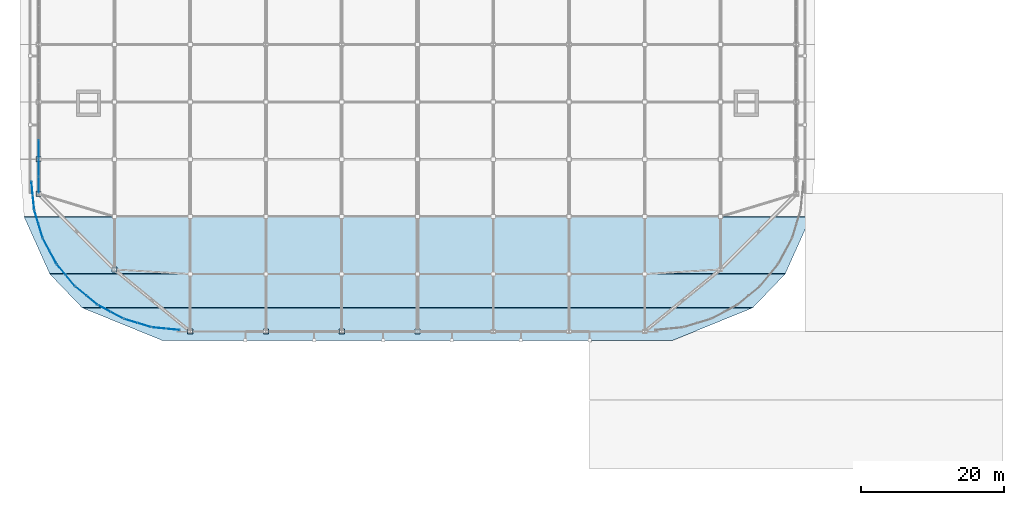
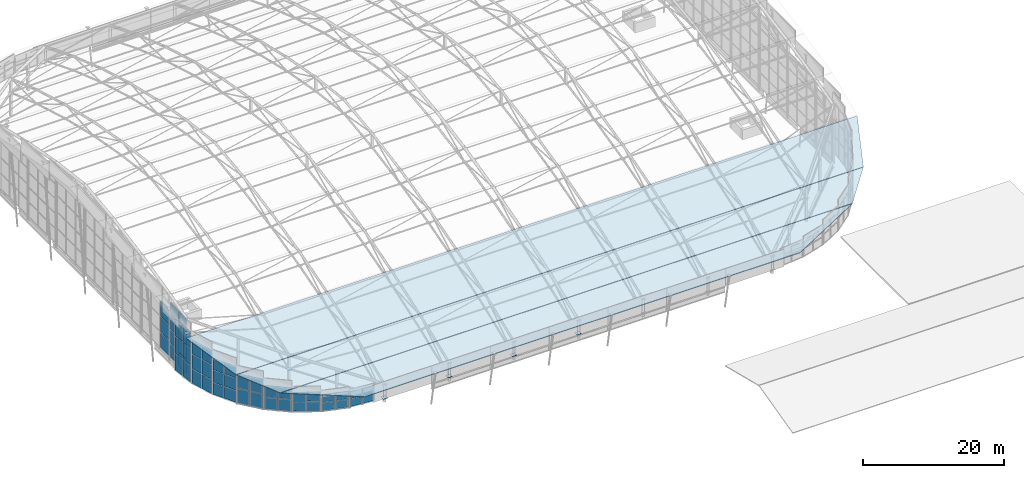
# One storey, part 32 of 42: 56 plates, 3 slabs, 11 elements without a shape of their own.
"""IFC4 building model written with IfcOpenShell, lengths in metres."""

from ifc_helpers import new_model, si_unit, direction, frame, origin, origin_2d, place, context, subcontext, project, spatial, polyline, rectangle, outline, extrude, material, layer, layer_set, type_object, element, aggregate, save


model = new_model("IFC4")

# Units and contexts
model_context = context("Model", 3, precision=1e-05, world=origin(), true_north=direction((0.0, 1.0)))
body_context = subcontext(model_context, "Body", "Model", "MODEL_VIEW")
ifc_project = project(units=[si_unit("LENGTHUNIT", "METRE"), si_unit("AREAUNIT", "SQUARE_METRE"), si_unit("VOLUMEUNIT", "CUBIC_METRE"), si_unit("PLANEANGLEUNIT", "RADIAN"), si_unit("MASSUNIT", "GRAM", prefix="KILO")], contexts=[model_context])

# Site, building, storey
site_placement = place(None, origin())
site = spatial("IfcSite", under=ifc_project, at=site_placement, CompositionType="ELEMENT")
building_placement = place(site_placement, origin())
building = spatial("IfcBuilding", under=site, at=building_placement, Name="Caelomonte Colonnade Arena", CompositionType="ELEMENT")
storey_placement = place(building_placement, frame((0.0, 0.0, 28.199951171875)))
storey = spatial("IfcBuildingStorey", under=building, at=storey_placement, Name="RF", CompositionType="ELEMENT", Elevation=28.199951171875)

# Curtain wall, plates
ifc_material_1 = material(Name="Bronze anodised aluminium and low-E glazing", Category="aluminium")
ifc_layer_1 = layer(ifc_material_1, 0.179931640625)
ifc_layer_set_1 = layer_set([ifc_layer_1], Name="Bronze anodised aluminium and low-E glazing")
curtain_wall_type_1 = type_object("IfcCurtainWallType", Name="ENV-CW-CW-TYMP-01", PredefinedType="USERDEFINED", material=ifc_layer_set_1)
curtain_wall_1_placement = place(storey_placement, origin())
curtain_wall_1 = element("IfcCurtainWall", 1, at=curtain_wall_1_placement, inside=storey, type_object=curtain_wall_type_1, Name="Barrel arch W clerestory tympanum curtain wall 1", ObjectType="UNITIZED CURTAIN WALL", PredefinedType="USERDEFINED")
ifc_material_2 = material(Name="Solar-control bronze low-E double glazing", Category="glass")
ifc_layer_2 = layer(ifc_material_2, 0.035888671875)
ifc_layer_set_2 = layer_set([ifc_layer_2], Name="Solar-control bronze low-E double glazing")
plate_type_1 = type_object("IfcPlateType", Name="ENV-CW-PAN36", PredefinedType="CURTAIN_PANEL", material=ifc_layer_set_2)
plate_1_placement = place(storey_placement, frame((57.60009765625, 41.9423828125, -0.080078125), z_axis=(0.0, 0.0, 1.0), x_axis=(0.0, -1.0, 0.0)))
plate_1 = element("IfcPlate", 2, at=plate_1_placement, type_object=plate_type_1, Name="CW-TYMP-01 panel 1.1", PredefinedType="CURTAIN_PANEL", context=body_context, shape_type="SweptSolid", body=[
    extrude(rectangle(XDim=2.215087890625, YDim=0.035888671875, at=origin_2d()), origin(), (0.0, 0.0, 1.0), 2.298583984375),
])
plate_2_placement = place(storey_placement, frame((57.60009765625, 41.9423828125, 2.28857421875), z_axis=(0.0, 0.0, 1.0), x_axis=(0.0, -1.0, 0.0)))
plate_2 = element("IfcPlate", 3, at=plate_2_placement, type_object=plate_type_1, Name="CW-TYMP-01 panel 1.2", PredefinedType="CURTAIN_PANEL", context=body_context, shape_type="SweptSolid", body=[
    extrude(rectangle(XDim=2.215087890625, YDim=0.035888671875, at=origin_2d()), origin(), (0.0, 0.0, 1.0), 2.333740234375),
])
plate_3_placement = place(storey_placement, frame((57.60009765625, 41.9423828125, 4.6923828125), z_axis=(0.0, 0.0, 1.0), x_axis=(0.0, -1.0, 0.0)))
plate_3 = element("IfcPlate", 4, at=plate_3_placement, type_object=plate_type_1, Name="CW-TYMP-01 panel 1.3", PredefinedType="CURTAIN_PANEL", context=body_context, shape_type="SweptSolid", body=[
    extrude(rectangle(XDim=2.215087890625, YDim=0.035888671875, at=origin_2d()), origin(), (0.0, 0.0, 1.0), 2.333740234375),
])
plate_4_placement = place(storey_placement, frame((57.60009765625, 41.9423828125, 7.09619140625), z_axis=(0.0, 0.0, 1.0), x_axis=(0.0, -1.0, 0.0)))
plate_4 = element("IfcPlate", 5, at=plate_4_placement, type_object=plate_type_1, Name="CW-TYMP-01 panel 1.4", PredefinedType="CURTAIN_PANEL", context=body_context, shape_type="SweptSolid", body=[
    extrude(rectangle(XDim=2.215087890625, YDim=0.035888671875, at=origin_2d()), origin(), (0.0, 0.0, 1.0), 2.298583984375),
])
plate_5_placement = place(storey_placement, frame((57.60009765625, 39.657470703125, -0.080078125), z_axis=(0.0, 0.0, 1.0), x_axis=(0.0, -1.0, 0.0)))
plate_5 = element("IfcPlate", 6, at=plate_5_placement, type_object=plate_type_1, Name="CW-TYMP-01 panel 2.1", PredefinedType="CURTAIN_PANEL", context=body_context, shape_type="SweptSolid", body=[
    extrude(rectangle(XDim=2.215087890625, YDim=0.035888671875, at=origin_2d()), origin(), (0.0, 0.0, 1.0), 2.298583984375),
])
plate_6_placement = place(storey_placement, frame((57.60009765625, 39.657470703125, 2.28857421875), z_axis=(0.0, 0.0, 1.0), x_axis=(0.0, -1.0, 0.0)))
plate_6 = element("IfcPlate", 7, at=plate_6_placement, type_object=plate_type_1, Name="CW-TYMP-01 panel 2.2", PredefinedType="CURTAIN_PANEL", context=body_context, shape_type="SweptSolid", body=[
    extrude(rectangle(XDim=2.215087890625, YDim=0.035888671875, at=origin_2d()), origin(), (0.0, 0.0, 1.0), 2.333740234375),
])
plate_7_placement = place(storey_placement, frame((57.60009765625, 39.657470703125, 4.6923828125), z_axis=(0.0, 0.0, 1.0), x_axis=(0.0, -1.0, 0.0)))
plate_7 = element("IfcPlate", 8, at=plate_7_placement, type_object=plate_type_1, Name="CW-TYMP-01 panel 2.3", PredefinedType="CURTAIN_PANEL", context=body_context, shape_type="SweptSolid", body=[
    extrude(rectangle(XDim=2.215087890625, YDim=0.035888671875, at=origin_2d()), origin(), (0.0, 0.0, 1.0), 2.333740234375),
])
plate_8_placement = place(storey_placement, frame((57.60009765625, 39.657470703125, 7.09619140625), z_axis=(0.0, 0.0, 1.0), x_axis=(0.0, -1.0, 0.0)))
plate_8 = element("IfcPlate", 9, at=plate_8_placement, type_object=plate_type_1, Name="CW-TYMP-01 panel 2.4", PredefinedType="CURTAIN_PANEL", context=body_context, shape_type="SweptSolid", body=[
    extrude(rectangle(XDim=2.215087890625, YDim=0.035888671875, at=origin_2d()), origin(), (0.0, 0.0, 1.0), 2.298583984375),
])
aggregate(curtain_wall_1, [plate_1, plate_2, plate_3, plate_4, plate_5, plate_6, plate_7, plate_8])

ifc_layer_3 = layer(ifc_material_1, 0.179931640625)
ifc_layer_set_3 = layer_set([ifc_layer_3], Name="Bronze anodised aluminium and low-E glazing")
curtain_wall_type_2 = type_object("IfcCurtainWallType", Name="ENV-CW-CW-TYMP-02", PredefinedType="USERDEFINED", material=ifc_layer_set_3)
curtain_wall_2_placement = place(storey_placement, origin())
curtain_wall_2 = element("IfcCurtainWall", 10, at=curtain_wall_2_placement, inside=storey, type_object=curtain_wall_type_2, Name="Barrel arch W clerestory tympanum curtain wall 2", ObjectType="UNITIZED CURTAIN WALL", PredefinedType="USERDEFINED")
plate_9_placement = place(storey_placement, frame((57.60009765625, 44.604248046875, -0.079833984375), z_axis=(0.0, 0.0, 1.0), x_axis=(0.0, -1.0, 0.0)))
plate_9 = element("IfcPlate", 11, at=plate_9_placement, type_object=plate_type_1, Name="CW-TYMP-02 panel 3.1", PredefinedType="CURTAIN_PANEL", context=body_context, shape_type="SweptSolid", body=[
    extrude(rectangle(XDim=2.50830078125, YDim=0.035888671875, at=origin_2d()), origin(), (0.0, 0.0, 1.0), 2.63330078125),
])
plate_10_placement = place(storey_placement, frame((57.60009765625, 44.604248046875, 2.62353515625), z_axis=(0.0, 0.0, 1.0), x_axis=(0.0, -1.0, 0.0)))
plate_10 = element("IfcPlate", 12, at=plate_10_placement, type_object=plate_type_1, Name="CW-TYMP-02 panel 3.2", PredefinedType="CURTAIN_PANEL", context=body_context, shape_type="SweptSolid", body=[
    extrude(rectangle(XDim=2.50830078125, YDim=0.035888671875, at=origin_2d()), origin(), (0.0, 0.0, 1.0), 2.668212890625),
])
plate_11_placement = place(storey_placement, frame((57.60009765625, 44.604248046875, 5.361328125), z_axis=(0.0, 0.0, 1.0), x_axis=(0.0, -1.0, 0.0)))
plate_11 = element("IfcPlate", 13, at=plate_11_placement, type_object=plate_type_1, Name="CW-TYMP-02 panel 3.3", PredefinedType="CURTAIN_PANEL", context=body_context, shape_type="SweptSolid", body=[
    extrude(rectangle(XDim=2.50830078125, YDim=0.035888671875, at=origin_2d()), origin(), (0.0, 0.0, 1.0), 2.668212890625),
])
aggregate(curtain_wall_2, [plate_9, plate_10, plate_11])

ifc_layer_4 = layer(ifc_material_1, 0.179931640625)
ifc_layer_set_4 = layer_set([ifc_layer_4], Name="Bronze anodised aluminium and low-E glazing")
curtain_wall_type_3 = type_object("IfcCurtainWallType", Name="ENV-CW-CW-TYMPC-01-89", PredefinedType="USERDEFINED", material=ifc_layer_set_4)
curtain_wall_3_placement = place(storey_placement, origin())
curtain_wall_3 = element("IfcCurtainWall", 14, at=curtain_wall_3_placement, inside=storey, type_object=curtain_wall_type_3, Name="Barrel arch rounded corner clerestory curtain wall 25", ObjectType="UNITIZED CURTAIN WALL", PredefinedType="USERDEFINED")
plate_12_placement = place(storey_placement, frame((56.68408203125, 39.142333984375, -0.079833984375), z_axis=(0.0, 0.0, 1.0), x_axis=(0.098031417843, -0.995183320356, 0.0)))
plate_12 = element("IfcPlate", 15, at=plate_12_placement, type_object=plate_type_1, Name="CW-TYMPC-01-89 panel 1.1", PredefinedType="CURTAIN_PANEL", context=body_context, shape_type="SweptSolid", body=[
    extrude(rectangle(XDim=1.8857421875, YDim=0.035888671875, at=origin_2d()), origin(), (0.0, 0.0, 1.0), 2.87158203125),
])
plate_13_placement = place(storey_placement, frame((56.68408203125, 39.142333984375, 2.86181640625), z_axis=(0.0, 0.0, 1.0), x_axis=(0.098031417843, -0.995183320356, 0.0)))
plate_13 = element("IfcPlate", 16, at=plate_13_placement, type_object=plate_type_1, Name="CW-TYMPC-01-89 panel 1.2", PredefinedType="CURTAIN_PANEL", context=body_context, shape_type="SweptSolid", body=[
    extrude(rectangle(XDim=1.8857421875, YDim=0.035888671875, at=origin_2d()), origin(), (0.0, 0.0, 1.0), 2.90673828125),
])
plate_14_placement = place(storey_placement, frame((56.68408203125, 39.142333984375, 5.838623046875), z_axis=(0.0, 0.0, 1.0), x_axis=(0.098031417843, -0.995183320356, 0.0)))
plate_14 = element("IfcPlate", 17, at=plate_14_placement, type_object=plate_type_1, Name="CW-TYMPC-01-89 panel 1.3", PredefinedType="CURTAIN_PANEL", context=body_context, shape_type="SweptSolid", body=[
    extrude(rectangle(XDim=1.8857421875, YDim=0.035888671875, at=origin_2d()), origin(), (0.0, 0.0, 1.0), 2.87158203125),
])
plate_15_placement = place(storey_placement, frame((56.8759765625, 37.196044921875, -0.079833984375), z_axis=(0.0, 0.0, 1.0), x_axis=(0.098031417843, -0.995183320356, 0.0)))
plate_15 = element("IfcPlate", 18, at=plate_15_placement, type_object=plate_type_1, Name="CW-TYMPC-01-89 panel 2.1", PredefinedType="CURTAIN_PANEL", context=body_context, shape_type="SweptSolid", body=[
    extrude(rectangle(XDim=1.8857421875, YDim=0.035888671875, at=origin_2d()), origin(), (0.0, 0.0, 1.0), 2.87158203125),
])
plate_16_placement = place(storey_placement, frame((56.8759765625, 37.196044921875, 2.86181640625), z_axis=(0.0, 0.0, 1.0), x_axis=(0.098031417843, -0.995183320356, 0.0)))
plate_16 = element("IfcPlate", 19, at=plate_16_placement, type_object=plate_type_1, Name="CW-TYMPC-01-89 panel 2.2", PredefinedType="CURTAIN_PANEL", context=body_context, shape_type="SweptSolid", body=[
    extrude(rectangle(XDim=1.8857421875, YDim=0.035888671875, at=origin_2d()), origin(), (0.0, 0.0, 1.0), 2.90673828125),
])
plate_17_placement = place(storey_placement, frame((56.8759765625, 37.196044921875, 5.838623046875), z_axis=(0.0, 0.0, 1.0), x_axis=(0.098031417843, -0.995183320356, 0.0)))
plate_17 = element("IfcPlate", 20, at=plate_17_placement, type_object=plate_type_1, Name="CW-TYMPC-01-89 panel 2.3", PredefinedType="CURTAIN_PANEL", context=body_context, shape_type="SweptSolid", body=[
    extrude(rectangle(XDim=1.8857421875, YDim=0.035888671875, at=origin_2d()), origin(), (0.0, 0.0, 1.0), 2.87158203125),
])
aggregate(curtain_wall_3, [plate_12, plate_13, plate_14, plate_15, plate_16, plate_17])

ifc_layer_5 = layer(ifc_material_1, 0.179931640625)
ifc_layer_set_5 = layer_set([ifc_layer_5], Name="Bronze anodised aluminium and low-E glazing")
curtain_wall_type_4 = type_object("IfcCurtainWallType", Name="ENV-CW-CW-TYMPC-02-77", PredefinedType="USERDEFINED", material=ifc_layer_set_5)
curtain_wall_4_placement = place(storey_placement, origin())
curtain_wall_4 = element("IfcCurtainWall", 21, at=curtain_wall_4_placement, inside=storey, type_object=curtain_wall_type_4, Name="Barrel arch rounded corner clerestory curtain wall 26", ObjectType="UNITIZED CURTAIN WALL", PredefinedType="USERDEFINED")
plate_18_placement = place(storey_placement, frame((57.28857421875, 35.12109375, -0.080078125), z_axis=(0.0, 0.0, 1.0), x_axis=(0.290266004632, -0.956945999811, 0.0)))
plate_18 = element("IfcPlate", 22, at=plate_18_placement, type_object=plate_type_1, Name="CW-TYMPC-02-77 panel 1.1", PredefinedType="CURTAIN_PANEL", context=body_context, shape_type="SweptSolid", body=[
    extrude(rectangle(XDim=1.8857421875, YDim=0.035888671875, at=origin_2d()), origin(), (0.0, 0.0, 1.0), 2.450439453125),
])
plate_19_placement = place(storey_placement, frame((57.28857421875, 35.12109375, 2.4404296875), z_axis=(0.0, 0.0, 1.0), x_axis=(0.290266004632, -0.956945999811, 0.0)))
plate_19 = element("IfcPlate", 23, at=plate_19_placement, type_object=plate_type_1, Name="CW-TYMPC-02-77 panel 1.2", PredefinedType="CURTAIN_PANEL", context=body_context, shape_type="SweptSolid", body=[
    extrude(rectangle(XDim=1.8857421875, YDim=0.035888671875, at=origin_2d()), origin(), (0.0, 0.0, 1.0), 2.4853515625),
])
plate_20_placement = place(storey_placement, frame((57.28857421875, 35.12109375, 4.99560546875), z_axis=(0.0, 0.0, 1.0), x_axis=(0.290266004632, -0.956945999811, 0.0)))
plate_20 = element("IfcPlate", 24, at=plate_20_placement, type_object=plate_type_1, Name="CW-TYMPC-02-77 panel 1.3", PredefinedType="CURTAIN_PANEL", context=body_context, shape_type="SweptSolid", body=[
    extrude(rectangle(XDim=1.8857421875, YDim=0.035888671875, at=origin_2d()), origin(), (0.0, 0.0, 1.0), 2.450439453125),
])
plate_21_placement = place(storey_placement, frame((57.856201171875, 33.24951171875, -0.080078125), z_axis=(0.0, 0.0, 1.0), x_axis=(0.290266004632, -0.956945999811, 0.0)))
plate_21 = element("IfcPlate", 25, at=plate_21_placement, type_object=plate_type_1, Name="CW-TYMPC-02-77 panel 2.1", PredefinedType="CURTAIN_PANEL", context=body_context, shape_type="SweptSolid", body=[
    extrude(rectangle(XDim=1.8857421875, YDim=0.035888671875, at=origin_2d()), origin(), (0.0, 0.0, 1.0), 2.450439453125),
])
plate_22_placement = place(storey_placement, frame((57.856201171875, 33.24951171875, 2.4404296875), z_axis=(0.0, 0.0, 1.0), x_axis=(0.290266004632, -0.956945999811, 0.0)))
plate_22 = element("IfcPlate", 26, at=plate_22_placement, type_object=plate_type_1, Name="CW-TYMPC-02-77 panel 2.2", PredefinedType="CURTAIN_PANEL", context=body_context, shape_type="SweptSolid", body=[
    extrude(rectangle(XDim=1.8857421875, YDim=0.035888671875, at=origin_2d()), origin(), (0.0, 0.0, 1.0), 2.4853515625),
])
plate_23_placement = place(storey_placement, frame((57.856201171875, 33.24951171875, 4.99560546875), z_axis=(0.0, 0.0, 1.0), x_axis=(0.290266004632, -0.956945999811, 0.0)))
plate_23 = element("IfcPlate", 27, at=plate_23_placement, type_object=plate_type_1, Name="CW-TYMPC-02-77 panel 2.3", PredefinedType="CURTAIN_PANEL", context=body_context, shape_type="SweptSolid", body=[
    extrude(rectangle(XDim=1.8857421875, YDim=0.035888671875, at=origin_2d()), origin(), (0.0, 0.0, 1.0), 2.450439453125),
])
aggregate(curtain_wall_4, [plate_18, plate_19, plate_20, plate_21, plate_22, plate_23])

ifc_layer_6 = layer(ifc_material_1, 0.179931640625)
ifc_layer_set_6 = layer_set([ifc_layer_6], Name="Bronze anodised aluminium and low-E glazing")
curtain_wall_type_5 = type_object("IfcCurtainWallType", Name="ENV-CW-CW-TYMPC-03-64", PredefinedType="USERDEFINED", material=ifc_layer_set_6)
curtain_wall_5_placement = place(storey_placement, origin())
curtain_wall_5 = element("IfcCurtainWall", 28, at=curtain_wall_5_placement, inside=storey, type_object=curtain_wall_type_5, Name="Barrel arch rounded corner clerestory curtain wall 27", ObjectType="UNITIZED CURTAIN WALL", PredefinedType="USERDEFINED")
plate_24_placement = place(storey_placement, frame((58.665771484375, 31.295166015625, -0.080078125), z_axis=(0.0, 0.0, 1.0), x_axis=(0.471391087795, -0.881924283795, 0.0)))
plate_24 = element("IfcPlate", 29, at=plate_24_placement, type_object=plate_type_1, Name="CW-TYMPC-03-64 panel 1.1", PredefinedType="CURTAIN_PANEL", context=body_context, shape_type="SweptSolid", body=[
    extrude(rectangle(XDim=1.8857421875, YDim=0.035888671875, at=origin_2d()), origin(), (0.0, 0.0, 1.0), 2.031494140625),
])
plate_25_placement = place(storey_placement, frame((58.665771484375, 31.295166015625, 2.021728515625), z_axis=(0.0, 0.0, 1.0), x_axis=(0.471391087795, -0.881924283795, 0.0)))
plate_25 = element("IfcPlate", 30, at=plate_25_placement, type_object=plate_type_1, Name="CW-TYMPC-03-64 panel 1.2", PredefinedType="CURTAIN_PANEL", context=body_context, shape_type="SweptSolid", body=[
    extrude(rectangle(XDim=1.8857421875, YDim=0.035888671875, at=origin_2d()), origin(), (0.0, 0.0, 1.0), 2.06640625),
])
plate_26_placement = place(storey_placement, frame((58.665771484375, 31.295166015625, 4.158203125), z_axis=(0.0, 0.0, 1.0), x_axis=(0.471391087795, -0.881924283795, 0.0)))
plate_26 = element("IfcPlate", 31, at=plate_26_placement, type_object=plate_type_1, Name="CW-TYMPC-03-64 panel 1.3", PredefinedType="CURTAIN_PANEL", context=body_context, shape_type="SweptSolid", body=[
    extrude(rectangle(XDim=1.8857421875, YDim=0.035888671875, at=origin_2d()), origin(), (0.0, 0.0, 1.0), 2.031494140625),
])
plate_27_placement = place(storey_placement, frame((59.587646484375, 29.5703125, -0.080078125), z_axis=(0.0, 0.0, 1.0), x_axis=(0.471391087795, -0.881924283795, 0.0)))
plate_27 = element("IfcPlate", 32, at=plate_27_placement, type_object=plate_type_1, Name="CW-TYMPC-03-64 panel 2.1", PredefinedType="CURTAIN_PANEL", context=body_context, shape_type="SweptSolid", body=[
    extrude(rectangle(XDim=1.8857421875, YDim=0.035888671875, at=origin_2d()), origin(), (0.0, 0.0, 1.0), 2.031494140625),
])
plate_28_placement = place(storey_placement, frame((59.587646484375, 29.5703125, 2.021728515625), z_axis=(0.0, 0.0, 1.0), x_axis=(0.471391087795, -0.881924283795, 0.0)))
plate_28 = element("IfcPlate", 33, at=plate_28_placement, type_object=plate_type_1, Name="CW-TYMPC-03-64 panel 2.2", PredefinedType="CURTAIN_PANEL", context=body_context, shape_type="SweptSolid", body=[
    extrude(rectangle(XDim=1.8857421875, YDim=0.035888671875, at=origin_2d()), origin(), (0.0, 0.0, 1.0), 2.06640625),
])
plate_29_placement = place(storey_placement, frame((59.587646484375, 29.5703125, 4.158203125), z_axis=(0.0, 0.0, 1.0), x_axis=(0.471391087795, -0.881924283795, 0.0)))
plate_29 = element("IfcPlate", 34, at=plate_29_placement, type_object=plate_type_1, Name="CW-TYMPC-03-64 panel 2.3", PredefinedType="CURTAIN_PANEL", context=body_context, shape_type="SweptSolid", body=[
    extrude(rectangle(XDim=1.8857421875, YDim=0.035888671875, at=origin_2d()), origin(), (0.0, 0.0, 1.0), 2.031494140625),
])
aggregate(curtain_wall_5, [plate_24, plate_25, plate_26, plate_27, plate_28, plate_29])

ifc_layer_7 = layer(ifc_material_1, 0.179931640625)
ifc_layer_set_7 = layer_set([ifc_layer_7], Name="Bronze anodised aluminium and low-E glazing")
curtain_wall_type_6 = type_object("IfcCurtainWallType", Name="ENV-CW-CW-TYMPC-04-52", PredefinedType="USERDEFINED", material=ifc_layer_set_7)
curtain_wall_6_placement = place(storey_placement, origin())
curtain_wall_6 = element("IfcCurtainWall", 35, at=curtain_wall_6_placement, inside=storey, type_object=curtain_wall_type_6, Name="Barrel arch rounded corner clerestory curtain wall 28", ObjectType="UNITIZED CURTAIN WALL", PredefinedType="USERDEFINED")
plate_30_placement = place(storey_placement, frame((60.762939453125, 27.811279296875, -0.080078125), z_axis=(0.0, 0.0, 1.0), x_axis=(0.634405129694, -0.773000731835, 0.0)))
plate_30 = element("IfcPlate", 36, at=plate_30_placement, type_object=plate_type_1, Name="CW-TYMPC-04-52 panel 1.1", PredefinedType="CURTAIN_PANEL", context=body_context, shape_type="SweptSolid", body=[
    extrude(rectangle(XDim=1.8857421875, YDim=0.035888671875, at=origin_2d()), origin(), (0.0, 0.0, 1.0), 2.51318359375),
])
plate_31_placement = place(storey_placement, frame((60.762939453125, 27.811279296875, 2.50341796875), z_axis=(0.0, 0.0, 1.0), x_axis=(0.634405129694, -0.773000731835, 0.0)))
plate_31 = element("IfcPlate", 37, at=plate_31_placement, type_object=plate_type_1, Name="CW-TYMPC-04-52 panel 1.2", PredefinedType="CURTAIN_PANEL", context=body_context, shape_type="SweptSolid", body=[
    extrude(rectangle(XDim=1.8857421875, YDim=0.035888671875, at=origin_2d()), origin(), (0.0, 0.0, 1.0), 2.512939453125),
])
plate_32_placement = place(storey_placement, frame((62.003662109375, 26.299560546875, -0.080078125), z_axis=(0.0, 0.0, 1.0), x_axis=(0.634405129694, -0.773000731835, 0.0)))
plate_32 = element("IfcPlate", 38, at=plate_32_placement, type_object=plate_type_1, Name="CW-TYMPC-04-52 panel 2.1", PredefinedType="CURTAIN_PANEL", context=body_context, shape_type="SweptSolid", body=[
    extrude(rectangle(XDim=1.8857421875, YDim=0.035888671875, at=origin_2d()), origin(), (0.0, 0.0, 1.0), 2.51318359375),
])
plate_33_placement = place(storey_placement, frame((62.003662109375, 26.299560546875, 2.50341796875), z_axis=(0.0, 0.0, 1.0), x_axis=(0.634405129694, -0.773000731835, 0.0)))
plate_33 = element("IfcPlate", 39, at=plate_33_placement, type_object=plate_type_1, Name="CW-TYMPC-04-52 panel 2.2", PredefinedType="CURTAIN_PANEL", context=body_context, shape_type="SweptSolid", body=[
    extrude(rectangle(XDim=1.8857421875, YDim=0.035888671875, at=origin_2d()), origin(), (0.0, 0.0, 1.0), 2.512939453125),
])
aggregate(curtain_wall_6, [plate_30, plate_31, plate_32, plate_33])

ifc_layer_8 = layer(ifc_material_1, 0.179931640625)
ifc_layer_set_8 = layer_set([ifc_layer_8], Name="Bronze anodised aluminium and low-E glazing")
curtain_wall_type_7 = type_object("IfcCurtainWallType", Name="ENV-CW-CW-TYMPC-04-42", PredefinedType="USERDEFINED", material=ifc_layer_set_8)
curtain_wall_7_placement = place(storey_placement, origin())
curtain_wall_7 = element("IfcCurtainWall", 40, at=curtain_wall_7_placement, inside=storey, type_object=curtain_wall_type_7, Name="Barrel arch rounded corner clerestory curtain wall 29", ObjectType="UNITIZED CURTAIN WALL", PredefinedType="USERDEFINED")
plate_34_placement = place(storey_placement, frame((63.49951171875, 24.8037109375, -0.080078125), z_axis=(0.0, 0.0, 1.0), x_axis=(0.773000731835, -0.634405129694, 0.0)))
plate_34 = element("IfcPlate", 41, at=plate_34_placement, type_object=plate_type_1, Name="CW-TYMPC-04-42 panel 1.1", PredefinedType="CURTAIN_PANEL", context=body_context, shape_type="SweptSolid", body=[
    extrude(rectangle(XDim=1.8857421875, YDim=0.035888671875, at=origin_2d()), origin(), (0.0, 0.0, 1.0), 2.00634765625),
])
plate_35_placement = place(storey_placement, frame((63.49951171875, 24.8037109375, 1.99658203125), z_axis=(0.0, 0.0, 1.0), x_axis=(0.773000731835, -0.634405129694, 0.0)))
plate_35 = element("IfcPlate", 42, at=plate_35_placement, type_object=plate_type_1, Name="CW-TYMPC-04-42 panel 1.2", PredefinedType="CURTAIN_PANEL", context=body_context, shape_type="SweptSolid", body=[
    extrude(rectangle(XDim=1.8857421875, YDim=0.035888671875, at=origin_2d()), origin(), (0.0, 0.0, 1.0), 2.006103515625),
])
plate_36_placement = place(storey_placement, frame((65.011474609375, 23.56298828125, -0.080078125), z_axis=(0.0, 0.0, 1.0), x_axis=(0.773000731835, -0.634405129694, 0.0)))
plate_36 = element("IfcPlate", 43, at=plate_36_placement, type_object=plate_type_1, Name="CW-TYMPC-04-42 panel 2.1", PredefinedType="CURTAIN_PANEL", context=body_context, shape_type="SweptSolid", body=[
    extrude(rectangle(XDim=1.8857421875, YDim=0.035888671875, at=origin_2d()), origin(), (0.0, 0.0, 1.0), 2.00634765625),
])
plate_37_placement = place(storey_placement, frame((65.011474609375, 23.56298828125, 1.99658203125), z_axis=(0.0, 0.0, 1.0), x_axis=(0.773000731835, -0.634405129694, 0.0)))
plate_37 = element("IfcPlate", 44, at=plate_37_placement, type_object=plate_type_1, Name="CW-TYMPC-04-42 panel 2.2", PredefinedType="CURTAIN_PANEL", context=body_context, shape_type="SweptSolid", body=[
    extrude(rectangle(XDim=1.8857421875, YDim=0.035888671875, at=origin_2d()), origin(), (0.0, 0.0, 1.0), 2.006103515625),
])
aggregate(curtain_wall_7, [plate_34, plate_35, plate_36, plate_37])

ifc_layer_9 = layer(ifc_material_1, 0.179931640625)
ifc_layer_set_9 = layer_set([ifc_layer_9], Name="Bronze anodised aluminium and low-E glazing")
curtain_wall_type_8 = type_object("IfcCurtainWallType", Name="ENV-CW-CW-TYMPC-03-34", PredefinedType="USERDEFINED", material=ifc_layer_set_9)
curtain_wall_8_placement = place(storey_placement, origin())
curtain_wall_8 = element("IfcCurtainWall", 45, at=curtain_wall_8_placement, inside=storey, type_object=curtain_wall_type_8, Name="Barrel arch rounded corner clerestory curtain wall 30", ObjectType="UNITIZED CURTAIN WALL", PredefinedType="USERDEFINED")
plate_38_placement = place(storey_placement, frame((66.770263671875, 22.3876953125, -0.080078125), z_axis=(0.0, 0.0, 1.0), x_axis=(0.881924283795, -0.471391087795, 0.0)))
plate_38 = element("IfcPlate", 46, at=plate_38_placement, type_object=plate_type_1, Name="CW-TYMPC-03-34 panel 1.1", PredefinedType="CURTAIN_PANEL", context=body_context, shape_type="SweptSolid", body=[
    extrude(rectangle(XDim=1.8857421875, YDim=0.035888671875, at=origin_2d()), origin(), (0.0, 0.0, 1.0), 1.614990234375),
])
plate_39_placement = place(storey_placement, frame((66.770263671875, 22.3876953125, 1.60498046875), z_axis=(0.0, 0.0, 1.0), x_axis=(0.881924283795, -0.471391087795, 0.0)))
plate_39 = element("IfcPlate", 47, at=plate_39_placement, type_object=plate_type_1, Name="CW-TYMPC-03-34 panel 1.2", PredefinedType="CURTAIN_PANEL", context=body_context, shape_type="SweptSolid", body=[
    extrude(rectangle(XDim=1.8857421875, YDim=0.035888671875, at=origin_2d()), origin(), (0.0, 0.0, 1.0), 1.614990234375),
])
plate_40_placement = place(storey_placement, frame((68.4951171875, 21.4658203125, -0.080078125), z_axis=(0.0, 0.0, 1.0), x_axis=(0.881924283795, -0.471391087795, 0.0)))
plate_40 = element("IfcPlate", 48, at=plate_40_placement, type_object=plate_type_1, Name="CW-TYMPC-03-34 panel 2.1", PredefinedType="CURTAIN_PANEL", context=body_context, shape_type="SweptSolid", body=[
    extrude(rectangle(XDim=1.8857421875, YDim=0.035888671875, at=origin_2d()), origin(), (0.0, 0.0, 1.0), 1.614990234375),
])
plate_41_placement = place(storey_placement, frame((68.4951171875, 21.4658203125, 1.60498046875), z_axis=(0.0, 0.0, 1.0), x_axis=(0.881924283795, -0.471391087795, 0.0)))
plate_41 = element("IfcPlate", 49, at=plate_41_placement, type_object=plate_type_1, Name="CW-TYMPC-03-34 panel 2.2", PredefinedType="CURTAIN_PANEL", context=body_context, shape_type="SweptSolid", body=[
    extrude(rectangle(XDim=1.8857421875, YDim=0.035888671875, at=origin_2d()), origin(), (0.0, 0.0, 1.0), 1.614990234375),
])
aggregate(curtain_wall_8, [plate_38, plate_39, plate_40, plate_41])

ifc_layer_10 = layer(ifc_material_1, 0.179931640625)
ifc_layer_set_10 = layer_set([ifc_layer_10], Name="Bronze anodised aluminium and low-E glazing")
curtain_wall_type_9 = type_object("IfcCurtainWallType", Name="ENV-CW-CW-TYMPC-02-29", PredefinedType="USERDEFINED", material=ifc_layer_set_10)
curtain_wall_9_placement = place(storey_placement, origin())
curtain_wall_9 = element("IfcCurtainWall", 50, at=curtain_wall_9_placement, inside=storey, type_object=curtain_wall_type_9, Name="Barrel arch rounded corner clerestory curtain wall 31", ObjectType="UNITIZED CURTAIN WALL", PredefinedType="USERDEFINED")
plate_42_placement = place(storey_placement, frame((70.449462890625, 20.65625, -0.080078125), z_axis=(0.0, 0.0, 1.0), x_axis=(0.956945999811, -0.290266004632, 0.0)))
plate_42 = element("IfcPlate", 51, at=plate_42_placement, type_object=plate_type_1, Name="CW-TYMPC-02-29 panel 1.1", PredefinedType="CURTAIN_PANEL", context=body_context, shape_type="SweptSolid", body=[
    extrude(rectangle(XDim=1.8857421875, YDim=0.035888671875, at=origin_2d()), origin(), (0.0, 0.0, 1.0), 1.367919921875),
])
plate_43_placement = place(storey_placement, frame((70.449462890625, 20.65625, 1.35791015625), z_axis=(0.0, 0.0, 1.0), x_axis=(0.956945999811, -0.290266004632, 0.0)))
plate_43 = element("IfcPlate", 52, at=plate_43_placement, type_object=plate_type_1, Name="CW-TYMPC-02-29 panel 1.2", PredefinedType="CURTAIN_PANEL", context=body_context, shape_type="SweptSolid", body=[
    extrude(rectangle(XDim=1.8857421875, YDim=0.035888671875, at=origin_2d()), origin(), (0.0, 0.0, 1.0), 1.36767578125),
])
plate_44_placement = place(storey_placement, frame((72.321044921875, 20.088623046875, -0.080078125), z_axis=(0.0, 0.0, 1.0), x_axis=(0.956945999811, -0.290266004632, 0.0)))
plate_44 = element("IfcPlate", 53, at=plate_44_placement, type_object=plate_type_1, Name="CW-TYMPC-02-29 panel 2.1", PredefinedType="CURTAIN_PANEL", context=body_context, shape_type="SweptSolid", body=[
    extrude(rectangle(XDim=1.8857421875, YDim=0.035888671875, at=origin_2d()), origin(), (0.0, 0.0, 1.0), 1.367919921875),
])
plate_45_placement = place(storey_placement, frame((72.321044921875, 20.088623046875, 1.35791015625), z_axis=(0.0, 0.0, 1.0), x_axis=(0.956945999811, -0.290266004632, 0.0)))
plate_45 = element("IfcPlate", 54, at=plate_45_placement, type_object=plate_type_1, Name="CW-TYMPC-02-29 panel 2.2", PredefinedType="CURTAIN_PANEL", context=body_context, shape_type="SweptSolid", body=[
    extrude(rectangle(XDim=1.8857421875, YDim=0.035888671875, at=origin_2d()), origin(), (0.0, 0.0, 1.0), 1.36767578125),
])
aggregate(curtain_wall_9, [plate_42, plate_43, plate_44, plate_45])

ifc_layer_11 = layer(ifc_material_1, 0.179931640625)
ifc_layer_set_11 = layer_set([ifc_layer_11], Name="Bronze anodised aluminium and low-E glazing")
curtain_wall_type_10 = type_object("IfcCurtainWallType", Name="ENV-CW-CW-TYMPC-01-28", PredefinedType="USERDEFINED", material=ifc_layer_set_11)
curtain_wall_10_placement = place(storey_placement, origin())
curtain_wall_10 = element("IfcCurtainWall", 55, at=curtain_wall_10_placement, inside=storey, type_object=curtain_wall_type_10, Name="Barrel arch rounded corner clerestory curtain wall 32", ObjectType="UNITIZED CURTAIN WALL", PredefinedType="USERDEFINED")
plate_46_placement = place(storey_placement, frame((74.39599609375, 19.676025390625, -0.079833984375), z_axis=(0.0, 0.0, 1.0), x_axis=(0.995183320356, -0.098031417843, 0.0)))
plate_46 = element("IfcPlate", 56, at=plate_46_placement, type_object=plate_type_1, Name="CW-TYMPC-01-28 panel 1.1", PredefinedType="CURTAIN_PANEL", context=body_context, shape_type="SweptSolid", body=[
    extrude(rectangle(XDim=1.8857421875, YDim=0.035888671875, at=origin_2d()), origin(), (0.0, 0.0, 1.0), 1.283203125),
])
plate_47_placement = place(storey_placement, frame((74.39599609375, 19.676025390625, 1.273193359375), z_axis=(0.0, 0.0, 1.0), x_axis=(0.995183320356, -0.098031417843, 0.0)))
plate_47 = element("IfcPlate", 57, at=plate_47_placement, type_object=plate_type_1, Name="CW-TYMPC-01-28 panel 1.2", PredefinedType="CURTAIN_PANEL", context=body_context, shape_type="SweptSolid", body=[
    extrude(rectangle(XDim=1.8857421875, YDim=0.035888671875, at=origin_2d()), origin(), (0.0, 0.0, 1.0), 1.283203125),
])
plate_48_placement = place(storey_placement, frame((76.34228515625, 19.484130859375, -0.079833984375), z_axis=(0.0, 0.0, 1.0), x_axis=(0.995183320356, -0.098031417843, 0.0)))
plate_48 = element("IfcPlate", 58, at=plate_48_placement, type_object=plate_type_1, Name="CW-TYMPC-01-28 panel 2.1", PredefinedType="CURTAIN_PANEL", context=body_context, shape_type="SweptSolid", body=[
    extrude(rectangle(XDim=1.8857421875, YDim=0.035888671875, at=origin_2d()), origin(), (0.0, 0.0, 1.0), 1.283203125),
])
plate_49_placement = place(storey_placement, frame((76.34228515625, 19.484130859375, 1.273193359375), z_axis=(0.0, 0.0, 1.0), x_axis=(0.995183320356, -0.098031417843, 0.0)))
plate_49 = element("IfcPlate", 59, at=plate_49_placement, type_object=plate_type_1, Name="CW-TYMPC-01-28 panel 2.2", PredefinedType="CURTAIN_PANEL", context=body_context, shape_type="SweptSolid", body=[
    extrude(rectangle(XDim=1.8857421875, YDim=0.035888671875, at=origin_2d()), origin(), (0.0, 0.0, 1.0), 1.283203125),
])
aggregate(curtain_wall_10, [plate_46, plate_47, plate_48, plate_49])

# Plates
ifc_material_3 = material(Name="Steel ASTM A572 Grade 50", Category="steel")
ifc_layer_12 = layer(ifc_material_3, 0.0400390625)
ifc_layer_set_12 = layer_set([ifc_layer_12], Name="Steel ASTM A572 Grade 50")
plate_type_2 = type_object("IfcPlateType", Name="STR-PL-SN01", PredefinedType="USERDEFINED", material=ifc_layer_set_12)
for number, where, z_axis, x_axis, name in (
    (60, (57.60009765625, 38.39990234375, 6.89501953125), (0.0, 0.0, 1.0), (1.0, 0.0, 0.0), "Space frame bottom node cap plate (0,2)"),
    (61, (57.60009765625, 43.199951171875, 8.23291015625), (0.0, 0.0, 1.0), (1.0, 0.0, 0.0), "Space frame bottom node cap plate (0,3)"),
    (62, (68.159912109375, 27.840087890625, 3.401123046875), (0.0, 0.0, 1.0), (1.0, 0.0, 0.0), "Space frame bottom node cap plate (1,1)"),
    (63, (78.719970703125, 19.199951171875, -0.02001953125), (0.0, 0.0, 1.0), (1.0, 0.0, 0.0), "Space frame bottom node cap plate (2,0)"),
    (64, (89.280029296875, 19.199951171875, -0.02001953125), (0.0, 0.0, 1.0), (1.0, 0.0, 0.0), "Space frame bottom node cap plate (3,0)"),
    (65, (99.840087890625, 19.199951171875, -0.02001953125), (0.0, 0.0, 1.0), (1.0, 0.0, 0.0), "Space frame bottom node cap plate (4,0)"),
    (66, (110.39990234375, 19.199951171875, -0.02001953125), (0.0, 0.0, 1.0), (1.0, 0.0, 0.0), "Space frame bottom node cap plate (5,0)"),
):
    element("IfcPlate", number, at=place(storey_placement, frame(where, z_axis=z_axis, x_axis=x_axis)), inside=storey, type_object=plate_type_2, Name=name, ObjectType="NODE CAP PLATE", PredefinedType="USERDEFINED", context=body_context, shape_type="SweptSolid", body=[
        extrude(rectangle(XDim=0.719970703125, YDim=0.719970703125, at=origin_2d()), origin(), (0.0, 0.0, 1.0), 0.0400390625),
    ])

# Roof, slabs
ifc_material_4 = material(Name="Steel ASTM A500 Grade C", Category="steel")
ifc_layer_13 = layer(ifc_material_4, 0.179931640625)
ifc_layer_set_13 = layer_set([ifc_layer_13], Name="Steel ASTM A500 Grade C")
roof_type = type_object("IfcRoofType", Name="ARC-RF-BARREL", PredefinedType="BARREL_ROOF", material=ifc_layer_set_13)
roof_placement = place(storey_placement, origin())
roof = element("IfcRoof", 67, at=roof_placement, inside=storey, type_object=roof_type, Name="Volume 2 barrel-arched arena roof", PredefinedType="BARREL_ROOF")
ifc_material_5 = material(Name="Precast concrete C40/50", Category="concrete")
ifc_layer_14 = layer(ifc_material_5, 0.179931640625)
ifc_layer_set_14 = layer_set([ifc_layer_14], Name="Precast concrete C40/50")
slab_type = type_object("IfcSlabType", Name="STR-SL-ARCH18", PredefinedType="ROOF", material=ifc_layer_set_14)
slab_1_placement = place(storey_placement, frame((74.81201171875, 17.949951171875, 2.25732421875), z_axis=(0.0, -0.369863842655, 0.929085969056), x_axis=(1.0, 0.0, 0.0)))
slab_1 = element("IfcSlab", 68, at=slab_1_placement, type_object=slab_type, Name="Barrel-arched arena roof deck panel 1", PredefinedType="ROOF", context=body_context, shape_type="SweptSolid", body=[
    extrude(outline(polyline([(0.0, 0.0), (71.176025390625, 0.0), (82.297119140625, 4.881309589261594), (-11.12109375, 4.881309589261594), (0.0, 0.0)])), origin(), (0.0, 0.0, -1.0), 0.179931640625),
])
slab_2_placement = place(storey_placement, frame((63.652099609375, 22.514892578125, 4.074951171875), z_axis=(0.0, -0.369857714994, 0.92908840842), x_axis=(1.0, 0.0, 0.0)))
slab_2 = element("IfcSlab", 69, at=slab_2_placement, type_object=slab_type, Name="Barrel-arched arena roof deck panel 2", PredefinedType="ROOF", context=body_context, shape_type="SweptSolid", body=[
    extrude(outline(polyline([(0.0, 0.0), (93.49560546875, 0.0), (97.97900390625, 5.026611002034981), (-4.483154296875, 5.026611002034981), (0.0, 0.0)])), origin(), (0.0, 0.0, -1.0), 0.179931640625),
])
slab_3_placement = place(storey_placement, frame((59.147705078125, 27.215087890625, 5.9453125), z_axis=(0.0, -0.325164773462, 0.945657374581), x_axis=(1.0, 0.0, 0.0)))
slab_3 = element("IfcSlab", 70, at=slab_3_placement, type_object=slab_type, Name="Barrel-arched arena roof deck panel 3", PredefinedType="ROOF", context=body_context, shape_type="SweptSolid", body=[
    extrude(outline(polyline([(0.0, 0.0), (102.504638671875, 0.0), (106.083740234375, 8.427968646315257), (-3.5791015625, 8.427968646315257), (0.0, 0.0)])), origin(), (0.0, 0.0, -1.0), 0.179931640625),
])
aggregate(roof, [slab_1, slab_2, slab_3])

save(model, "model.ifc")
